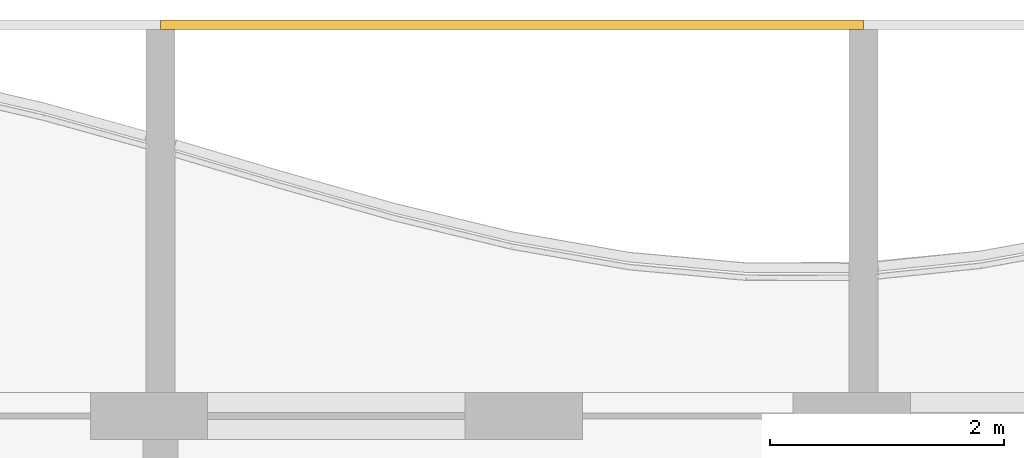
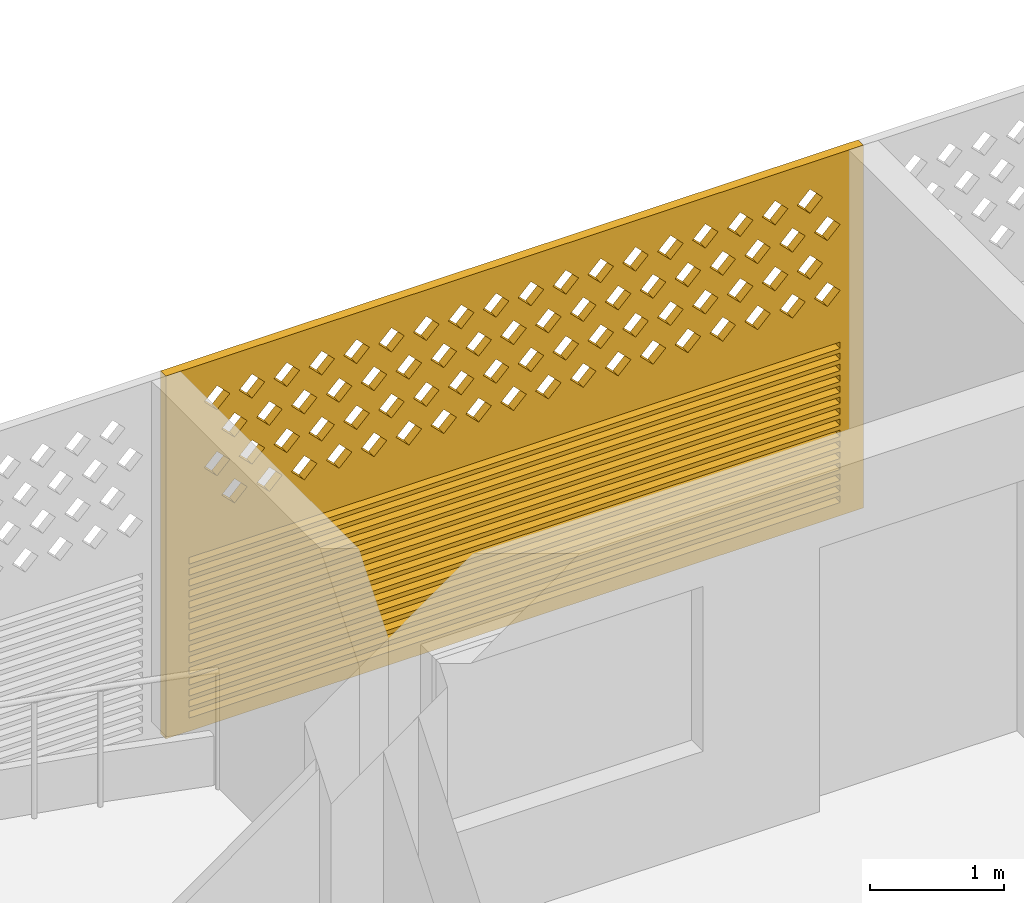
# One storey, part 31 of 33: 1 covering.
"""IFC4 building model written with IfcOpenShell, lengths in metres."""

from ifc_helpers import new_model, si_unit, direction, frame, origin, place, context, subcontext, project, spatial, polyline, outline, extrude, source, transform, mapped, material, material_profile, profile_set, type_object, element, save


model = new_model("IFC4")

# Units and contexts
model_context = context("Model", 3, precision=1e-05, world=origin(), true_north=direction((0.0, 1.0)))
body_context = subcontext(model_context, "Body", "Model", "MODEL_VIEW")
ifc_project = project(units=[si_unit("LENGTHUNIT", "METRE"), si_unit("AREAUNIT", "SQUARE_METRE"), si_unit("VOLUMEUNIT", "CUBIC_METRE"), si_unit("PLANEANGLEUNIT", "RADIAN"), si_unit("MASSUNIT", "GRAM", prefix="KILO")], contexts=[model_context])

# Site, building, storey
site_placement = place(None, origin())
site = spatial("IfcSite", under=ifc_project, at=site_placement, CompositionType="ELEMENT")
building_placement = place(site_placement, origin())
building = spatial("IfcBuilding", under=site, at=building_placement, Name="Poui Terraces", CompositionType="ELEMENT")
storey_placement = place(building_placement, frame((0.0, 0.0, 135.60009765625)))
storey = spatial("IfcBuildingStorey", under=building, at=storey_placement, Name="L37", CompositionType="ELEMENT", Elevation=135.60009765625)

# Covering
ifc_material = material(Name="Terracotta screen", Category="masonry")
ifc_material_profile = material_profile(ifc_material, outline(polyline([(-3.0, -1.64990234375), (3.0, -1.64990234375), (3.0, 1.64990234375), (-3.0, 1.64990234375), (-3.0, -1.64990234375)]), holes=[polyline([(-2.800048828125, 0.39990234375), (-2.68994140625, 0.2900390625), (-2.580078125, 0.39990234375), (-2.68994140625, 0.510009765625), (-2.800048828125, 0.39990234375)]), polyline([(-2.5, 0.39990234375), (-2.389892578125, 0.2900390625), (-2.280029296875, 0.39990234375), (-2.389892578125, 0.510009765625), (-2.5, 0.39990234375)]), polyline([(-2.199951171875, 0.39990234375), (-2.090087890625, 0.2900390625), (-1.97998046875, 0.39990234375), (-2.090087890625, 0.510009765625), (-2.199951171875, 0.39990234375)]), polyline([(-1.89990234375, 0.39990234375), (-1.7900390625, 0.2900390625), (-1.679931640625, 0.39990234375), (-1.7900390625, 0.510009765625), (-1.89990234375, 0.39990234375)]), polyline([(-1.60009765625, 0.39990234375), (-1.489990234375, 0.2900390625), (-1.3798828125, 0.39990234375), (-1.489990234375, 0.510009765625), (-1.60009765625, 0.39990234375)]), polyline([(-1.300048828125, 0.39990234375), (-1.18994140625, 0.2900390625), (-1.080078125, 0.39990234375), (-1.18994140625, 0.510009765625), (-1.300048828125, 0.39990234375)]), polyline([(-1.0, 0.39990234375), (-0.889892578125, 0.2900390625), (-0.780029296875, 0.39990234375), (-0.889892578125, 0.510009765625), (-1.0, 0.39990234375)]), polyline([(-0.699951171875, 0.39990234375), (-0.590087890625, 0.2900390625), (-0.47998046875, 0.39990234375), (-0.590087890625, 0.510009765625), (-0.699951171875, 0.39990234375)]), polyline([(-0.39990234375, 0.39990234375), (-0.2900390625, 0.2900390625), (-0.179931640625, 0.39990234375), (-0.2900390625, 0.510009765625), (-0.39990234375, 0.39990234375)]), polyline([(-0.10009765625, 0.39990234375), (0.010009765625, 0.2900390625), (0.1201171875, 0.39990234375), (0.010009765625, 0.510009765625), (-0.10009765625, 0.39990234375)]), polyline([(0.199951171875, 0.39990234375), (0.31005859375, 0.2900390625), (0.419921875, 0.39990234375), (0.31005859375, 0.510009765625), (0.199951171875, 0.39990234375)]), polyline([(0.5, 0.39990234375), (0.610107421875, 0.2900390625), (0.719970703125, 0.39990234375), (0.610107421875, 0.510009765625), (0.5, 0.39990234375)]), polyline([(0.800048828125, 0.39990234375), (0.909912109375, 0.2900390625), (1.02001953125, 0.39990234375), (0.909912109375, 0.510009765625), (0.800048828125, 0.39990234375)]), polyline([(1.10009765625, 0.39990234375), (1.2099609375, 0.2900390625), (1.320068359375, 0.39990234375), (1.2099609375, 0.510009765625), (1.10009765625, 0.39990234375)]), polyline([(1.39990234375, 0.39990234375), (1.510009765625, 0.2900390625), (1.6201171875, 0.39990234375), (1.510009765625, 0.510009765625), (1.39990234375, 0.39990234375)]), polyline([(1.699951171875, 0.39990234375), (1.81005859375, 0.2900390625), (1.919921875, 0.39990234375), (1.81005859375, 0.510009765625), (1.699951171875, 0.39990234375)]), polyline([(2.0, 0.39990234375), (2.110107421875, 0.2900390625), (2.219970703125, 0.39990234375), (2.110107421875, 0.510009765625), (2.0, 0.39990234375)]), polyline([(2.300048828125, 0.39990234375), (2.409912109375, 0.2900390625), (2.52001953125, 0.39990234375), (2.409912109375, 0.510009765625), (2.300048828125, 0.39990234375)]), polyline([(-2.64990234375, 0.699951171875), (-2.5400390625, 0.590087890625), (-2.429931640625, 0.699951171875), (-2.5400390625, 0.81005859375), (-2.64990234375, 0.699951171875)]), polyline([(-2.35009765625, 0.699951171875), (-2.239990234375, 0.590087890625), (-2.1298828125, 0.699951171875), (-2.239990234375, 0.81005859375), (-2.35009765625, 0.699951171875)]), polyline([(-2.050048828125, 0.699951171875), (-1.93994140625, 0.590087890625), (-1.830078125, 0.699951171875), (-1.93994140625, 0.81005859375), (-2.050048828125, 0.699951171875)]), polyline([(-1.75, 0.699951171875), (-1.639892578125, 0.590087890625), (-1.530029296875, 0.699951171875), (-1.639892578125, 0.81005859375), (-1.75, 0.699951171875)]), polyline([(-1.449951171875, 0.699951171875), (-1.340087890625, 0.590087890625), (-1.22998046875, 0.699951171875), (-1.340087890625, 0.81005859375), (-1.449951171875, 0.699951171875)]), polyline([(-1.14990234375, 0.699951171875), (-1.0400390625, 0.590087890625), (-0.929931640625, 0.699951171875), (-1.0400390625, 0.81005859375), (-1.14990234375, 0.699951171875)]), polyline([(-0.85009765625, 0.699951171875), (-0.739990234375, 0.590087890625), (-0.6298828125, 0.699951171875), (-0.739990234375, 0.81005859375), (-0.85009765625, 0.699951171875)]), polyline([(-0.550048828125, 0.699951171875), (-0.43994140625, 0.590087890625), (-0.330078125, 0.699951171875), (-0.43994140625, 0.81005859375), (-0.550048828125, 0.699951171875)]), polyline([(-0.25, 0.699951171875), (-0.139892578125, 0.590087890625), (-0.030029296875, 0.699951171875), (-0.139892578125, 0.81005859375), (-0.25, 0.699951171875)]), polyline([(0.050048828125, 0.699951171875), (0.159912109375, 0.590087890625), (0.27001953125, 0.699951171875), (0.159912109375, 0.81005859375), (0.050048828125, 0.699951171875)]), polyline([(0.35009765625, 0.699951171875), (0.4599609375, 0.590087890625), (0.570068359375, 0.699951171875), (0.4599609375, 0.81005859375), (0.35009765625, 0.699951171875)]), polyline([(0.64990234375, 0.699951171875), (0.760009765625, 0.590087890625), (0.8701171875, 0.699951171875), (0.760009765625, 0.81005859375), (0.64990234375, 0.699951171875)]), polyline([(0.949951171875, 0.699951171875), (1.06005859375, 0.590087890625), (1.169921875, 0.699951171875), (1.06005859375, 0.81005859375), (0.949951171875, 0.699951171875)]), polyline([(1.25, 0.699951171875), (1.360107421875, 0.590087890625), (1.469970703125, 0.699951171875), (1.360107421875, 0.81005859375), (1.25, 0.699951171875)]), polyline([(1.550048828125, 0.699951171875), (1.659912109375, 0.590087890625), (1.77001953125, 0.699951171875), (1.659912109375, 0.81005859375), (1.550048828125, 0.699951171875)]), polyline([(1.85009765625, 0.699951171875), (1.9599609375, 0.590087890625), (2.070068359375, 0.699951171875), (1.9599609375, 0.81005859375), (1.85009765625, 0.699951171875)]), polyline([(2.14990234375, 0.699951171875), (2.260009765625, 0.590087890625), (2.3701171875, 0.699951171875), (2.260009765625, 0.81005859375), (2.14990234375, 0.699951171875)]), polyline([(2.449951171875, 0.699951171875), (2.56005859375, 0.590087890625), (2.669921875, 0.699951171875), (2.56005859375, 0.81005859375), (2.449951171875, 0.699951171875)]), polyline([(-2.800048828125, 1.0), (-2.68994140625, 0.889892578125), (-2.580078125, 1.0), (-2.68994140625, 1.110107421875), (-2.800048828125, 1.0)]), polyline([(-2.5, 1.0), (-2.389892578125, 0.889892578125), (-2.280029296875, 1.0), (-2.389892578125, 1.110107421875), (-2.5, 1.0)]), polyline([(-2.199951171875, 1.0), (-2.090087890625, 0.889892578125), (-1.97998046875, 1.0), (-2.090087890625, 1.110107421875), (-2.199951171875, 1.0)]), polyline([(-1.89990234375, 1.0), (-1.7900390625, 0.889892578125), (-1.679931640625, 1.0), (-1.7900390625, 1.110107421875), (-1.89990234375, 1.0)]), polyline([(-1.60009765625, 1.0), (-1.489990234375, 0.889892578125), (-1.3798828125, 1.0), (-1.489990234375, 1.110107421875), (-1.60009765625, 1.0)]), polyline([(-1.300048828125, 1.0), (-1.18994140625, 0.889892578125), (-1.080078125, 1.0), (-1.18994140625, 1.110107421875), (-1.300048828125, 1.0)]), polyline([(-1.0, 1.0), (-0.889892578125, 0.889892578125), (-0.780029296875, 1.0), (-0.889892578125, 1.110107421875), (-1.0, 1.0)]), polyline([(-0.699951171875, 1.0), (-0.590087890625, 0.889892578125), (-0.47998046875, 1.0), (-0.590087890625, 1.110107421875), (-0.699951171875, 1.0)]), polyline([(-0.39990234375, 1.0), (-0.2900390625, 0.889892578125), (-0.179931640625, 1.0), (-0.2900390625, 1.110107421875), (-0.39990234375, 1.0)]), polyline([(-0.10009765625, 1.0), (0.010009765625, 0.889892578125), (0.1201171875, 1.0), (0.010009765625, 1.110107421875), (-0.10009765625, 1.0)]), polyline([(0.199951171875, 1.0), (0.31005859375, 0.889892578125), (0.419921875, 1.0), (0.31005859375, 1.110107421875), (0.199951171875, 1.0)]), polyline([(0.5, 1.0), (0.610107421875, 0.889892578125), (0.719970703125, 1.0), (0.610107421875, 1.110107421875), (0.5, 1.0)]), polyline([(0.800048828125, 1.0), (0.909912109375, 0.889892578125), (1.02001953125, 1.0), (0.909912109375, 1.110107421875), (0.800048828125, 1.0)]), polyline([(1.10009765625, 1.0), (1.2099609375, 0.889892578125), (1.320068359375, 1.0), (1.2099609375, 1.110107421875), (1.10009765625, 1.0)]), polyline([(1.39990234375, 1.0), (1.510009765625, 0.889892578125), (1.6201171875, 1.0), (1.510009765625, 1.110107421875), (1.39990234375, 1.0)]), polyline([(1.699951171875, 1.0), (1.81005859375, 0.889892578125), (1.919921875, 1.0), (1.81005859375, 1.110107421875), (1.699951171875, 1.0)]), polyline([(2.0, 1.0), (2.110107421875, 0.889892578125), (2.219970703125, 1.0), (2.110107421875, 1.110107421875), (2.0, 1.0)]), polyline([(2.300048828125, 1.0), (2.409912109375, 0.889892578125), (2.52001953125, 1.0), (2.409912109375, 1.110107421875), (2.300048828125, 1.0)]), polyline([(-2.64990234375, 1.300048828125), (-2.5400390625, 1.18994140625), (-2.429931640625, 1.300048828125), (-2.5400390625, 1.409912109375), (-2.64990234375, 1.300048828125)]), polyline([(-2.35009765625, 1.300048828125), (-2.239990234375, 1.18994140625), (-2.1298828125, 1.300048828125), (-2.239990234375, 1.409912109375), (-2.35009765625, 1.300048828125)]), polyline([(-2.050048828125, 1.300048828125), (-1.93994140625, 1.18994140625), (-1.830078125, 1.300048828125), (-1.93994140625, 1.409912109375), (-2.050048828125, 1.300048828125)]), polyline([(-1.75, 1.300048828125), (-1.639892578125, 1.18994140625), (-1.530029296875, 1.300048828125), (-1.639892578125, 1.409912109375), (-1.75, 1.300048828125)]), polyline([(-1.449951171875, 1.300048828125), (-1.340087890625, 1.18994140625), (-1.22998046875, 1.300048828125), (-1.340087890625, 1.409912109375), (-1.449951171875, 1.300048828125)]), polyline([(-1.14990234375, 1.300048828125), (-1.0400390625, 1.18994140625), (-0.929931640625, 1.300048828125), (-1.0400390625, 1.409912109375), (-1.14990234375, 1.300048828125)]), polyline([(-0.85009765625, 1.300048828125), (-0.739990234375, 1.18994140625), (-0.6298828125, 1.300048828125), (-0.739990234375, 1.409912109375), (-0.85009765625, 1.300048828125)]), polyline([(-0.550048828125, 1.300048828125), (-0.43994140625, 1.18994140625), (-0.330078125, 1.300048828125), (-0.43994140625, 1.409912109375), (-0.550048828125, 1.300048828125)]), polyline([(-0.25, 1.300048828125), (-0.139892578125, 1.18994140625), (-0.030029296875, 1.300048828125), (-0.139892578125, 1.409912109375), (-0.25, 1.300048828125)]), polyline([(0.050048828125, 1.300048828125), (0.159912109375, 1.18994140625), (0.27001953125, 1.300048828125), (0.159912109375, 1.409912109375), (0.050048828125, 1.300048828125)]), polyline([(0.35009765625, 1.300048828125), (0.4599609375, 1.18994140625), (0.570068359375, 1.300048828125), (0.4599609375, 1.409912109375), (0.35009765625, 1.300048828125)]), polyline([(0.64990234375, 1.300048828125), (0.760009765625, 1.18994140625), (0.8701171875, 1.300048828125), (0.760009765625, 1.409912109375), (0.64990234375, 1.300048828125)]), polyline([(0.949951171875, 1.300048828125), (1.06005859375, 1.18994140625), (1.169921875, 1.300048828125), (1.06005859375, 1.409912109375), (0.949951171875, 1.300048828125)]), polyline([(1.25, 1.300048828125), (1.360107421875, 1.18994140625), (1.469970703125, 1.300048828125), (1.360107421875, 1.409912109375), (1.25, 1.300048828125)]), polyline([(1.550048828125, 1.300048828125), (1.659912109375, 1.18994140625), (1.77001953125, 1.300048828125), (1.659912109375, 1.409912109375), (1.550048828125, 1.300048828125)]), polyline([(1.85009765625, 1.300048828125), (1.9599609375, 1.18994140625), (2.070068359375, 1.300048828125), (1.9599609375, 1.409912109375), (1.85009765625, 1.300048828125)]), polyline([(2.14990234375, 1.300048828125), (2.260009765625, 1.18994140625), (2.3701171875, 1.300048828125), (2.260009765625, 1.409912109375), (2.14990234375, 1.300048828125)]), polyline([(2.449951171875, 1.300048828125), (2.56005859375, 1.18994140625), (2.669921875, 1.300048828125), (2.56005859375, 1.409912109375), (2.449951171875, 1.300048828125)]), polyline([(-2.800048828125, -1.530029296875), (2.800048828125, -1.530029296875), (2.800048828125, -1.469970703125), (-2.800048828125, -1.469970703125), (-2.800048828125, -1.530029296875)]), polyline([(-2.800048828125, -1.429931640625), (2.800048828125, -1.429931640625), (2.800048828125, -1.3701171875), (-2.800048828125, -1.3701171875), (-2.800048828125, -1.429931640625)]), polyline([(-2.800048828125, -1.330078125), (2.800048828125, -1.330078125), (2.800048828125, -1.27001953125), (-2.800048828125, -1.27001953125), (-2.800048828125, -1.330078125)]), polyline([(-2.800048828125, -1.22998046875), (2.800048828125, -1.22998046875), (2.800048828125, -1.169921875), (-2.800048828125, -1.169921875), (-2.800048828125, -1.22998046875)]), polyline([(-2.800048828125, -1.1298828125), (2.800048828125, -1.1298828125), (2.800048828125, -1.070068359375), (-2.800048828125, -1.070068359375), (-2.800048828125, -1.1298828125)]), polyline([(-2.800048828125, -1.030029296875), (2.800048828125, -1.030029296875), (2.800048828125, -0.969970703125), (-2.800048828125, -0.969970703125), (-2.800048828125, -1.030029296875)]), polyline([(-2.800048828125, -0.929931640625), (2.800048828125, -0.929931640625), (2.800048828125, -0.8701171875), (-2.800048828125, -0.8701171875), (-2.800048828125, -0.929931640625)]), polyline([(-2.800048828125, -0.830078125), (2.800048828125, -0.830078125), (2.800048828125, -0.77001953125), (-2.800048828125, -0.77001953125), (-2.800048828125, -0.830078125)]), polyline([(-2.800048828125, -0.72998046875), (2.800048828125, -0.72998046875), (2.800048828125, -0.669921875), (-2.800048828125, -0.669921875), (-2.800048828125, -0.72998046875)]), polyline([(-2.800048828125, -0.6298828125), (2.800048828125, -0.6298828125), (2.800048828125, -0.570068359375), (-2.800048828125, -0.570068359375), (-2.800048828125, -0.6298828125)]), polyline([(-2.800048828125, -0.530029296875), (2.800048828125, -0.530029296875), (2.800048828125, -0.469970703125), (-2.800048828125, -0.469970703125), (-2.800048828125, -0.530029296875)]), polyline([(-2.800048828125, -0.429931640625), (2.800048828125, -0.429931640625), (2.800048828125, -0.3701171875), (-2.800048828125, -0.3701171875), (-2.800048828125, -0.429931640625)]), polyline([(-2.800048828125, -0.330078125), (2.800048828125, -0.330078125), (2.800048828125, -0.27001953125), (-2.800048828125, -0.27001953125), (-2.800048828125, -0.330078125)]), polyline([(-2.800048828125, -0.22998046875), (2.800048828125, -0.22998046875), (2.800048828125, -0.169921875), (-2.800048828125, -0.169921875), (-2.800048828125, -0.22998046875)]), polyline([(-2.800048828125, -0.1298828125), (2.800048828125, -0.1298828125), (2.800048828125, -0.070068359375), (-2.800048828125, -0.070068359375), (-2.800048828125, -0.1298828125)])]), Name="TERRACOTTA SCREEN AND JALOUSIE LOUVRE 6000X3300")
ifc_profile_set = profile_set([ifc_material_profile], Name="Terracotta screen")
covering_type = type_object("IfcCoveringType", Name="TERRACOTTA SCREEN AND JALOUSIE LOUVRE 6000X3300", PredefinedType="CLADDING", material=ifc_profile_set)
shared_shape = source(origin(), body_context, "Body", "SweptSolid", [
    extrude(outline(polyline([(-3.0, -1.64990234375), (3.0, -1.64990234375), (3.0, 1.64990234375), (-3.0, 1.64990234375), (-3.0, -1.64990234375)]), holes=[polyline([(-2.800048828125, 0.39990234375), (-2.68994140625, 0.2900390625), (-2.580078125, 0.39990234375), (-2.68994140625, 0.510009765625), (-2.800048828125, 0.39990234375)]), polyline([(-2.5, 0.39990234375), (-2.389892578125, 0.2900390625), (-2.280029296875, 0.39990234375), (-2.389892578125, 0.510009765625), (-2.5, 0.39990234375)]), polyline([(-2.199951171875, 0.39990234375), (-2.090087890625, 0.2900390625), (-1.97998046875, 0.39990234375), (-2.090087890625, 0.510009765625), (-2.199951171875, 0.39990234375)]), polyline([(-1.89990234375, 0.39990234375), (-1.7900390625, 0.2900390625), (-1.679931640625, 0.39990234375), (-1.7900390625, 0.510009765625), (-1.89990234375, 0.39990234375)]), polyline([(-1.60009765625, 0.39990234375), (-1.489990234375, 0.2900390625), (-1.3798828125, 0.39990234375), (-1.489990234375, 0.510009765625), (-1.60009765625, 0.39990234375)]), polyline([(-1.300048828125, 0.39990234375), (-1.18994140625, 0.2900390625), (-1.080078125, 0.39990234375), (-1.18994140625, 0.510009765625), (-1.300048828125, 0.39990234375)]), polyline([(-1.0, 0.39990234375), (-0.889892578125, 0.2900390625), (-0.780029296875, 0.39990234375), (-0.889892578125, 0.510009765625), (-1.0, 0.39990234375)]), polyline([(-0.699951171875, 0.39990234375), (-0.590087890625, 0.2900390625), (-0.47998046875, 0.39990234375), (-0.590087890625, 0.510009765625), (-0.699951171875, 0.39990234375)]), polyline([(-0.39990234375, 0.39990234375), (-0.2900390625, 0.2900390625), (-0.179931640625, 0.39990234375), (-0.2900390625, 0.510009765625), (-0.39990234375, 0.39990234375)]), polyline([(-0.10009765625, 0.39990234375), (0.010009765625, 0.2900390625), (0.1201171875, 0.39990234375), (0.010009765625, 0.510009765625), (-0.10009765625, 0.39990234375)]), polyline([(0.199951171875, 0.39990234375), (0.31005859375, 0.2900390625), (0.419921875, 0.39990234375), (0.31005859375, 0.510009765625), (0.199951171875, 0.39990234375)]), polyline([(0.5, 0.39990234375), (0.610107421875, 0.2900390625), (0.719970703125, 0.39990234375), (0.610107421875, 0.510009765625), (0.5, 0.39990234375)]), polyline([(0.800048828125, 0.39990234375), (0.909912109375, 0.2900390625), (1.02001953125, 0.39990234375), (0.909912109375, 0.510009765625), (0.800048828125, 0.39990234375)]), polyline([(1.10009765625, 0.39990234375), (1.2099609375, 0.2900390625), (1.320068359375, 0.39990234375), (1.2099609375, 0.510009765625), (1.10009765625, 0.39990234375)]), polyline([(1.39990234375, 0.39990234375), (1.510009765625, 0.2900390625), (1.6201171875, 0.39990234375), (1.510009765625, 0.510009765625), (1.39990234375, 0.39990234375)]), polyline([(1.699951171875, 0.39990234375), (1.81005859375, 0.2900390625), (1.919921875, 0.39990234375), (1.81005859375, 0.510009765625), (1.699951171875, 0.39990234375)]), polyline([(2.0, 0.39990234375), (2.110107421875, 0.2900390625), (2.219970703125, 0.39990234375), (2.110107421875, 0.510009765625), (2.0, 0.39990234375)]), polyline([(2.300048828125, 0.39990234375), (2.409912109375, 0.2900390625), (2.52001953125, 0.39990234375), (2.409912109375, 0.510009765625), (2.300048828125, 0.39990234375)]), polyline([(-2.64990234375, 0.699951171875), (-2.5400390625, 0.590087890625), (-2.429931640625, 0.699951171875), (-2.5400390625, 0.81005859375), (-2.64990234375, 0.699951171875)]), polyline([(-2.35009765625, 0.699951171875), (-2.239990234375, 0.590087890625), (-2.1298828125, 0.699951171875), (-2.239990234375, 0.81005859375), (-2.35009765625, 0.699951171875)]), polyline([(-2.050048828125, 0.699951171875), (-1.93994140625, 0.590087890625), (-1.830078125, 0.699951171875), (-1.93994140625, 0.81005859375), (-2.050048828125, 0.699951171875)]), polyline([(-1.75, 0.699951171875), (-1.639892578125, 0.590087890625), (-1.530029296875, 0.699951171875), (-1.639892578125, 0.81005859375), (-1.75, 0.699951171875)]), polyline([(-1.449951171875, 0.699951171875), (-1.340087890625, 0.590087890625), (-1.22998046875, 0.699951171875), (-1.340087890625, 0.81005859375), (-1.449951171875, 0.699951171875)]), polyline([(-1.14990234375, 0.699951171875), (-1.0400390625, 0.590087890625), (-0.929931640625, 0.699951171875), (-1.0400390625, 0.81005859375), (-1.14990234375, 0.699951171875)]), polyline([(-0.85009765625, 0.699951171875), (-0.739990234375, 0.590087890625), (-0.6298828125, 0.699951171875), (-0.739990234375, 0.81005859375), (-0.85009765625, 0.699951171875)]), polyline([(-0.550048828125, 0.699951171875), (-0.43994140625, 0.590087890625), (-0.330078125, 0.699951171875), (-0.43994140625, 0.81005859375), (-0.550048828125, 0.699951171875)]), polyline([(-0.25, 0.699951171875), (-0.139892578125, 0.590087890625), (-0.030029296875, 0.699951171875), (-0.139892578125, 0.81005859375), (-0.25, 0.699951171875)]), polyline([(0.050048828125, 0.699951171875), (0.159912109375, 0.590087890625), (0.27001953125, 0.699951171875), (0.159912109375, 0.81005859375), (0.050048828125, 0.699951171875)]), polyline([(0.35009765625, 0.699951171875), (0.4599609375, 0.590087890625), (0.570068359375, 0.699951171875), (0.4599609375, 0.81005859375), (0.35009765625, 0.699951171875)]), polyline([(0.64990234375, 0.699951171875), (0.760009765625, 0.590087890625), (0.8701171875, 0.699951171875), (0.760009765625, 0.81005859375), (0.64990234375, 0.699951171875)]), polyline([(0.949951171875, 0.699951171875), (1.06005859375, 0.590087890625), (1.169921875, 0.699951171875), (1.06005859375, 0.81005859375), (0.949951171875, 0.699951171875)]), polyline([(1.25, 0.699951171875), (1.360107421875, 0.590087890625), (1.469970703125, 0.699951171875), (1.360107421875, 0.81005859375), (1.25, 0.699951171875)]), polyline([(1.550048828125, 0.699951171875), (1.659912109375, 0.590087890625), (1.77001953125, 0.699951171875), (1.659912109375, 0.81005859375), (1.550048828125, 0.699951171875)]), polyline([(1.85009765625, 0.699951171875), (1.9599609375, 0.590087890625), (2.070068359375, 0.699951171875), (1.9599609375, 0.81005859375), (1.85009765625, 0.699951171875)]), polyline([(2.14990234375, 0.699951171875), (2.260009765625, 0.590087890625), (2.3701171875, 0.699951171875), (2.260009765625, 0.81005859375), (2.14990234375, 0.699951171875)]), polyline([(2.449951171875, 0.699951171875), (2.56005859375, 0.590087890625), (2.669921875, 0.699951171875), (2.56005859375, 0.81005859375), (2.449951171875, 0.699951171875)]), polyline([(-2.800048828125, 1.0), (-2.68994140625, 0.889892578125), (-2.580078125, 1.0), (-2.68994140625, 1.110107421875), (-2.800048828125, 1.0)]), polyline([(-2.5, 1.0), (-2.389892578125, 0.889892578125), (-2.280029296875, 1.0), (-2.389892578125, 1.110107421875), (-2.5, 1.0)]), polyline([(-2.199951171875, 1.0), (-2.090087890625, 0.889892578125), (-1.97998046875, 1.0), (-2.090087890625, 1.110107421875), (-2.199951171875, 1.0)]), polyline([(-1.89990234375, 1.0), (-1.7900390625, 0.889892578125), (-1.679931640625, 1.0), (-1.7900390625, 1.110107421875), (-1.89990234375, 1.0)]), polyline([(-1.60009765625, 1.0), (-1.489990234375, 0.889892578125), (-1.3798828125, 1.0), (-1.489990234375, 1.110107421875), (-1.60009765625, 1.0)]), polyline([(-1.300048828125, 1.0), (-1.18994140625, 0.889892578125), (-1.080078125, 1.0), (-1.18994140625, 1.110107421875), (-1.300048828125, 1.0)]), polyline([(-1.0, 1.0), (-0.889892578125, 0.889892578125), (-0.780029296875, 1.0), (-0.889892578125, 1.110107421875), (-1.0, 1.0)]), polyline([(-0.699951171875, 1.0), (-0.590087890625, 0.889892578125), (-0.47998046875, 1.0), (-0.590087890625, 1.110107421875), (-0.699951171875, 1.0)]), polyline([(-0.39990234375, 1.0), (-0.2900390625, 0.889892578125), (-0.179931640625, 1.0), (-0.2900390625, 1.110107421875), (-0.39990234375, 1.0)]), polyline([(-0.10009765625, 1.0), (0.010009765625, 0.889892578125), (0.1201171875, 1.0), (0.010009765625, 1.110107421875), (-0.10009765625, 1.0)]), polyline([(0.199951171875, 1.0), (0.31005859375, 0.889892578125), (0.419921875, 1.0), (0.31005859375, 1.110107421875), (0.199951171875, 1.0)]), polyline([(0.5, 1.0), (0.610107421875, 0.889892578125), (0.719970703125, 1.0), (0.610107421875, 1.110107421875), (0.5, 1.0)]), polyline([(0.800048828125, 1.0), (0.909912109375, 0.889892578125), (1.02001953125, 1.0), (0.909912109375, 1.110107421875), (0.800048828125, 1.0)]), polyline([(1.10009765625, 1.0), (1.2099609375, 0.889892578125), (1.320068359375, 1.0), (1.2099609375, 1.110107421875), (1.10009765625, 1.0)]), polyline([(1.39990234375, 1.0), (1.510009765625, 0.889892578125), (1.6201171875, 1.0), (1.510009765625, 1.110107421875), (1.39990234375, 1.0)]), polyline([(1.699951171875, 1.0), (1.81005859375, 0.889892578125), (1.919921875, 1.0), (1.81005859375, 1.110107421875), (1.699951171875, 1.0)]), polyline([(2.0, 1.0), (2.110107421875, 0.889892578125), (2.219970703125, 1.0), (2.110107421875, 1.110107421875), (2.0, 1.0)]), polyline([(2.300048828125, 1.0), (2.409912109375, 0.889892578125), (2.52001953125, 1.0), (2.409912109375, 1.110107421875), (2.300048828125, 1.0)]), polyline([(-2.64990234375, 1.300048828125), (-2.5400390625, 1.18994140625), (-2.429931640625, 1.300048828125), (-2.5400390625, 1.409912109375), (-2.64990234375, 1.300048828125)]), polyline([(-2.35009765625, 1.300048828125), (-2.239990234375, 1.18994140625), (-2.1298828125, 1.300048828125), (-2.239990234375, 1.409912109375), (-2.35009765625, 1.300048828125)]), polyline([(-2.050048828125, 1.300048828125), (-1.93994140625, 1.18994140625), (-1.830078125, 1.300048828125), (-1.93994140625, 1.409912109375), (-2.050048828125, 1.300048828125)]), polyline([(-1.75, 1.300048828125), (-1.639892578125, 1.18994140625), (-1.530029296875, 1.300048828125), (-1.639892578125, 1.409912109375), (-1.75, 1.300048828125)]), polyline([(-1.449951171875, 1.300048828125), (-1.340087890625, 1.18994140625), (-1.22998046875, 1.300048828125), (-1.340087890625, 1.409912109375), (-1.449951171875, 1.300048828125)]), polyline([(-1.14990234375, 1.300048828125), (-1.0400390625, 1.18994140625), (-0.929931640625, 1.300048828125), (-1.0400390625, 1.409912109375), (-1.14990234375, 1.300048828125)]), polyline([(-0.85009765625, 1.300048828125), (-0.739990234375, 1.18994140625), (-0.6298828125, 1.300048828125), (-0.739990234375, 1.409912109375), (-0.85009765625, 1.300048828125)]), polyline([(-0.550048828125, 1.300048828125), (-0.43994140625, 1.18994140625), (-0.330078125, 1.300048828125), (-0.43994140625, 1.409912109375), (-0.550048828125, 1.300048828125)]), polyline([(-0.25, 1.300048828125), (-0.139892578125, 1.18994140625), (-0.030029296875, 1.300048828125), (-0.139892578125, 1.409912109375), (-0.25, 1.300048828125)]), polyline([(0.050048828125, 1.300048828125), (0.159912109375, 1.18994140625), (0.27001953125, 1.300048828125), (0.159912109375, 1.409912109375), (0.050048828125, 1.300048828125)]), polyline([(0.35009765625, 1.300048828125), (0.4599609375, 1.18994140625), (0.570068359375, 1.300048828125), (0.4599609375, 1.409912109375), (0.35009765625, 1.300048828125)]), polyline([(0.64990234375, 1.300048828125), (0.760009765625, 1.18994140625), (0.8701171875, 1.300048828125), (0.760009765625, 1.409912109375), (0.64990234375, 1.300048828125)]), polyline([(0.949951171875, 1.300048828125), (1.06005859375, 1.18994140625), (1.169921875, 1.300048828125), (1.06005859375, 1.409912109375), (0.949951171875, 1.300048828125)]), polyline([(1.25, 1.300048828125), (1.360107421875, 1.18994140625), (1.469970703125, 1.300048828125), (1.360107421875, 1.409912109375), (1.25, 1.300048828125)]), polyline([(1.550048828125, 1.300048828125), (1.659912109375, 1.18994140625), (1.77001953125, 1.300048828125), (1.659912109375, 1.409912109375), (1.550048828125, 1.300048828125)]), polyline([(1.85009765625, 1.300048828125), (1.9599609375, 1.18994140625), (2.070068359375, 1.300048828125), (1.9599609375, 1.409912109375), (1.85009765625, 1.300048828125)]), polyline([(2.14990234375, 1.300048828125), (2.260009765625, 1.18994140625), (2.3701171875, 1.300048828125), (2.260009765625, 1.409912109375), (2.14990234375, 1.300048828125)]), polyline([(2.449951171875, 1.300048828125), (2.56005859375, 1.18994140625), (2.669921875, 1.300048828125), (2.56005859375, 1.409912109375), (2.449951171875, 1.300048828125)]), polyline([(-2.800048828125, -1.530029296875), (2.800048828125, -1.530029296875), (2.800048828125, -1.469970703125), (-2.800048828125, -1.469970703125), (-2.800048828125, -1.530029296875)]), polyline([(-2.800048828125, -1.429931640625), (2.800048828125, -1.429931640625), (2.800048828125, -1.3701171875), (-2.800048828125, -1.3701171875), (-2.800048828125, -1.429931640625)]), polyline([(-2.800048828125, -1.330078125), (2.800048828125, -1.330078125), (2.800048828125, -1.27001953125), (-2.800048828125, -1.27001953125), (-2.800048828125, -1.330078125)]), polyline([(-2.800048828125, -1.22998046875), (2.800048828125, -1.22998046875), (2.800048828125, -1.169921875), (-2.800048828125, -1.169921875), (-2.800048828125, -1.22998046875)]), polyline([(-2.800048828125, -1.1298828125), (2.800048828125, -1.1298828125), (2.800048828125, -1.070068359375), (-2.800048828125, -1.070068359375), (-2.800048828125, -1.1298828125)]), polyline([(-2.800048828125, -1.030029296875), (2.800048828125, -1.030029296875), (2.800048828125, -0.969970703125), (-2.800048828125, -0.969970703125), (-2.800048828125, -1.030029296875)]), polyline([(-2.800048828125, -0.929931640625), (2.800048828125, -0.929931640625), (2.800048828125, -0.8701171875), (-2.800048828125, -0.8701171875), (-2.800048828125, -0.929931640625)]), polyline([(-2.800048828125, -0.830078125), (2.800048828125, -0.830078125), (2.800048828125, -0.77001953125), (-2.800048828125, -0.77001953125), (-2.800048828125, -0.830078125)]), polyline([(-2.800048828125, -0.72998046875), (2.800048828125, -0.72998046875), (2.800048828125, -0.669921875), (-2.800048828125, -0.669921875), (-2.800048828125, -0.72998046875)]), polyline([(-2.800048828125, -0.6298828125), (2.800048828125, -0.6298828125), (2.800048828125, -0.570068359375), (-2.800048828125, -0.570068359375), (-2.800048828125, -0.6298828125)]), polyline([(-2.800048828125, -0.530029296875), (2.800048828125, -0.530029296875), (2.800048828125, -0.469970703125), (-2.800048828125, -0.469970703125), (-2.800048828125, -0.530029296875)]), polyline([(-2.800048828125, -0.429931640625), (2.800048828125, -0.429931640625), (2.800048828125, -0.3701171875), (-2.800048828125, -0.3701171875), (-2.800048828125, -0.429931640625)]), polyline([(-2.800048828125, -0.330078125), (2.800048828125, -0.330078125), (2.800048828125, -0.27001953125), (-2.800048828125, -0.27001953125), (-2.800048828125, -0.330078125)]), polyline([(-2.800048828125, -0.22998046875), (2.800048828125, -0.22998046875), (2.800048828125, -0.169921875), (-2.800048828125, -0.169921875), (-2.800048828125, -0.22998046875)]), polyline([(-2.800048828125, -0.1298828125), (2.800048828125, -0.1298828125), (2.800048828125, -0.070068359375), (-2.800048828125, -0.070068359375), (-2.800048828125, -0.1298828125)])]), origin(), (0.0, 0.0, 1.0), 0.080078125),
])
covering_placement = place(storey_placement, frame((75.0, 45.699951171875, 1.449951171875), z_axis=(0.0, 1.0, 0.0), x_axis=(-1.0, 0.0, 0.0)))
element("IfcCovering", 1, at=covering_placement, inside=storey, type_object=covering_type, Name="SOLAR SCREEN AND JALOUSIE LOUVRE", PredefinedType="CLADDING", context=body_context, shape_type="MappedRepresentation", body=[
    mapped(shared_shape, transform((0.0, 0.0, 0.0))),
])

save(model, "model.ifc")
